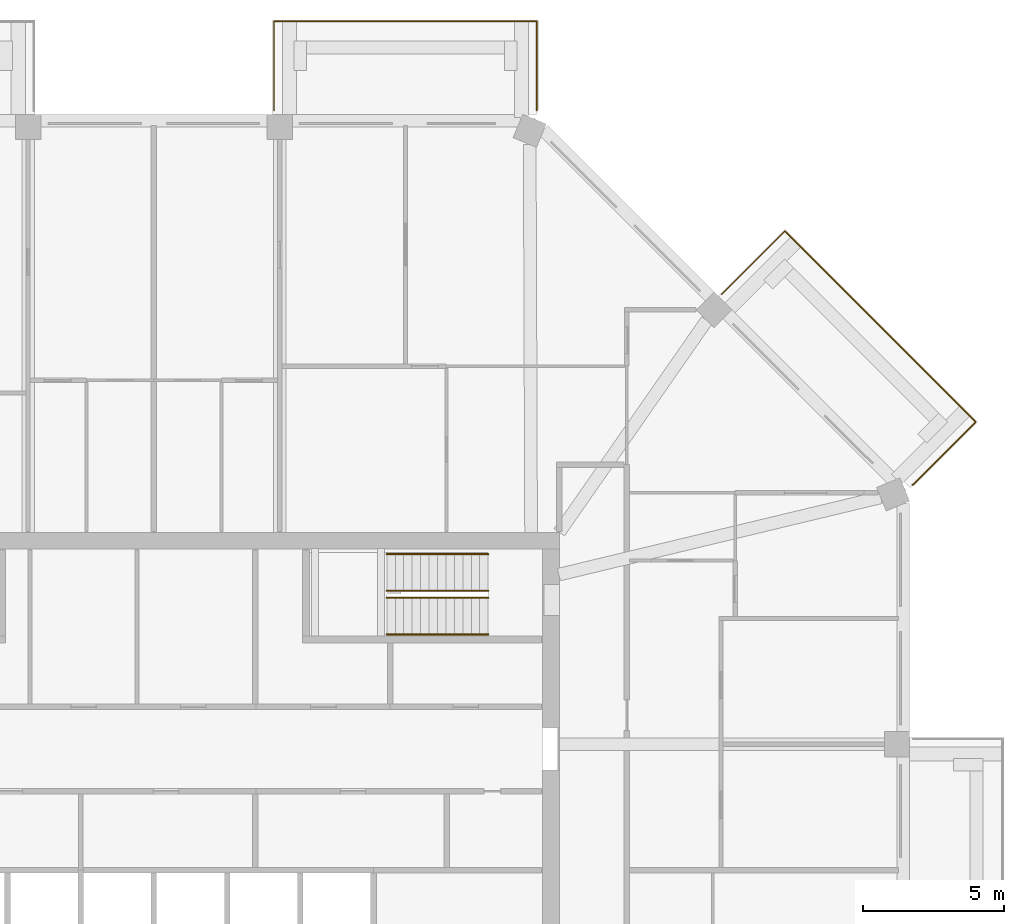
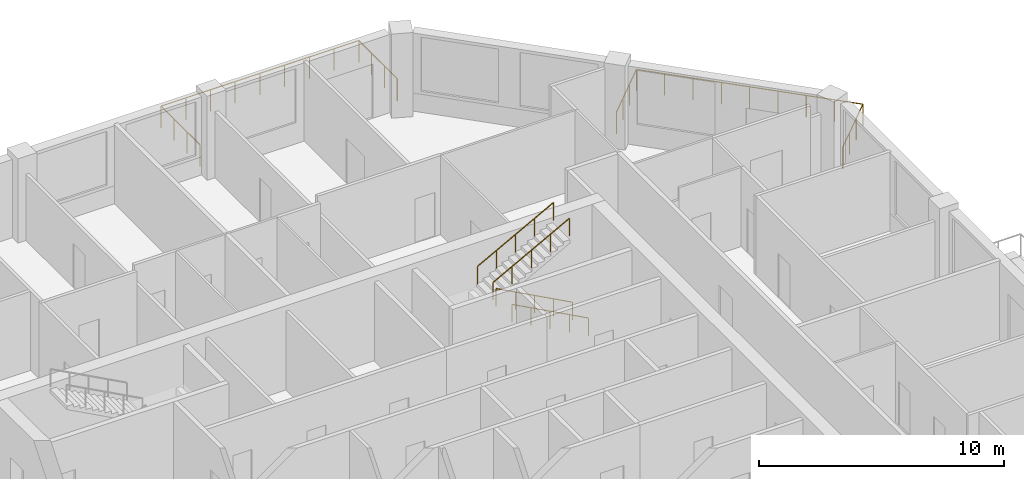
# One storey, part 12 of 12: 6 railings.
"""IFC4 building model written with IfcOpenShell, lengths in metres."""

import ifcopenshell
import ifcopenshell.guid

model = None  # the IFC model being written
_history = None  # IfcOwnerHistory: only IFC2X3 demands one
_inside = {}  # id of a spatial element -> (the spatial element, [elements in it])
_under = {}  # id of a project, library or spatial element -> (it, [spatial elements below it])
_declared = {}  # id of a project -> (the project, [libraries it declares])
_typed = {}  # id of a type object -> (the type object, [elements of that type])
_made_of = {}  # id of a material, layer set ... -> (it, [elements and type objects made of it])


def new_model(schema):
    """Start an empty IFC model of exactly this schema.

    Asked for "IFC4X3", IfcOpenShell would pick the latest addendum, in which some entities
    have other attributes; the version numbers below select the first issue.
    IFC2X3 requires an IfcOwnerHistory on every rooted entity: one is made here for all.
    """
    global model, _history
    if schema == "IFC4X3":
        model = ifcopenshell.file(schema_version=(4, 3, 0, 0))
    else:
        model = ifcopenshell.file(schema=schema)
    _inside.clear()
    _under.clear()
    _declared.clear()
    _typed.clear()
    _made_of.clear()
    _history = None
    if model.schema == "IFC2X3":
        org = make("IfcOrganization", Name="unknown")
        user = make(
            "IfcPersonAndOrganization",
            ThePerson=make("IfcPerson", FamilyName="unknown"),
            TheOrganization=org,
        )
        app = make(
            "IfcApplication",
            ApplicationDeveloper=org,
            Version="unknown",
            ApplicationFullName="unknown",
            ApplicationIdentifier="unknown",
        )
        _history = make(
            "IfcOwnerHistory",
            OwningUser=user,
            OwningApplication=app,
            ChangeAction="ADDED",
            CreationDate=0,
        )
    return model


def make(cls, **values):
    """One entity of the class cls with the attributes given. An attribute that is None is left unset."""
    return model.create_entity(
        cls, **{name: value for name, value in values.items() if value is not None}
    )


def rooted(cls, **values):
    """An entity with a GlobalId (a new one), such as an element, a storey or a relation."""
    return make(cls, GlobalId=ifcopenshell.guid.new(), OwnerHistory=_history, **values)


def si_unit(unit_type, name, prefix=None):
    """IfcSIUnit, for example si_unit("LENGTHUNIT", "METRE", prefix="MILLI")."""
    return make("IfcSIUnit", UnitType=unit_type, Prefix=prefix, Name=name)


def assignment(units):
    """IfcUnitAssignment: the units of a project."""
    return None if units is None else make("IfcUnitAssignment", Units=units)


def point(xyz):
    """IfcCartesianPoint."""
    return None if xyz is None else make("IfcCartesianPoint", Coordinates=xyz)


def direction(xyz):
    """IfcDirection."""
    return None if xyz is None else make("IfcDirection", DirectionRatios=xyz)


def frame(location, z_axis=None, x_axis=None):
    """IfcAxis2Placement3D, a coordinate frame: its origin and axes. An axis left out is left unset."""
    return make(
        "IfcAxis2Placement3D",
        Location=point(location),
        Axis=direction(z_axis),
        RefDirection=direction(x_axis),
    )


def frame_2d(location, x_axis=None):
    """IfcAxis2Placement2D, a coordinate frame in the plane: its origin and x axis."""
    return make(
        "IfcAxis2Placement2D", Location=point(location), RefDirection=direction(x_axis)
    )


def origin():
    """The frame at (0, 0, 0) with its axes left unset."""
    return frame((0.0, 0.0, 0.0))


def origin_2d():
    """The frame at (0, 0) in the plane with its x axis left unset."""
    return frame_2d((0.0, 0.0))


def place(relative_to, where):
    """IfcLocalPlacement: puts the frame where relative to a parent placement (None: the world)."""
    return make(
        "IfcLocalPlacement", PlacementRelTo=relative_to, RelativePlacement=where
    )


def context(
    kind, dimensions, precision=None, world=None, true_north=None, identifier=None
):
    """IfcGeometricRepresentationContext, for example the 3D "Model" context."""
    return make(
        "IfcGeometricRepresentationContext",
        ContextIdentifier=identifier,
        ContextType=kind,
        CoordinateSpaceDimension=dimensions,
        Precision=precision,
        WorldCoordinateSystem=world,
        TrueNorth=true_north,
    )


def subcontext(parent, identifier, kind, view, scale=None):
    """IfcGeometricRepresentationSubContext, for example "Body" below "Model"."""
    return make(
        "IfcGeometricRepresentationSubContext",
        ContextIdentifier=identifier,
        ContextType=kind,
        ParentContext=parent,
        TargetScale=scale,
        TargetView=view,
    )


def project(units=None, contexts=None):
    """IfcProject with its units and contexts."""
    return rooted(
        "IfcProject",
        Name="project",
        RepresentationContexts=contexts,
        UnitsInContext=assignment(units),
    )


def spatial(cls, under=None, at=None, **own):
    """A site, building, storey or space (cls), placed at a placement, below another one or the project."""
    s = rooted(cls, ObjectPlacement=at, **own)
    if under is not None:
        _under.setdefault(under.id(), (under, []))[1].append(s)
    return s


def profile(cls, at=None, kind="AREA", **sizes):
    """A parametric profile (cls). Its sizes go by their IFC names, for example OverallWidth=200.0."""
    return make(cls, ProfileType=kind, Position=at, **sizes)


def circle(**sizes):
    """IfcCircleProfileDef."""
    return profile("IfcCircleProfileDef", **sizes)


def extrude(swept, where, along, depth):
    """IfcExtrudedAreaSolid: the profile swept, set in the frame where, extruded along a direction by depth."""
    return make(
        "IfcExtrudedAreaSolid",
        SweptArea=swept,
        Position=where,
        ExtrudedDirection=direction(along),
        Depth=depth,
    )


def shape(context_of_items, identifier, shape_type, items):
    """IfcShapeRepresentation: the items that make up one representation, for example the "Body"."""
    return make(
        "IfcShapeRepresentation",
        ContextOfItems=context_of_items,
        RepresentationIdentifier=identifier,
        RepresentationType=shape_type,
        Items=items,
    )


def material(Name=None, Category=None):
    """IfcMaterial."""
    return make("IfcMaterial", Name=Name, Category=Category)


def constituent(of_material, Name=None, Category=None, fraction=None):
    """IfcMaterialConstituent: one of the materials an element consists of."""
    return make(
        "IfcMaterialConstituent",
        Name=Name,
        Material=of_material,
        Fraction=fraction,
        Category=Category,
    )


def constituent_set(constituents=None, Name=None):
    """IfcMaterialConstituentSet."""
    return make(
        "IfcMaterialConstituentSet", Name=Name, MaterialConstituents=constituents
    )


def made_of(thing, what):
    """Note that an element or type object is made of a material, layer set ...; save() writes the relation."""
    if what is not None:
        _made_of.setdefault(what.id(), (what, []))[1].append(thing)
    return thing


def type_object(cls, material=None, **own):
    """A type object (cls), such as IfcWallType, which elements share."""
    return made_of(rooted(cls, **own), material)


def element(
    cls,
    number,
    at=None,
    inside=None,
    cuts=None,
    type_object=None,
    material=None,
    context=None,
    identifier="Body",
    shape_type=None,
    held_by="IfcProductDefinitionShape",
    body=None,
    shapes=None,
    **own,
):
    """One element of the class cls, such as IfcWall. Its Tag is "e" and its number.

    at: its placement. inside: the storey or other place that contains it. cuts: it is an
    opening in that element (IfcRelVoidsElement). A single representation is given by context,
    identifier, shape_type and body (its items); several are given by shapes. held_by: the class
    of the entity that holds the representations. save() writes the other relations.
    """
    e = rooted(cls, Tag="e%d" % number, ObjectPlacement=at, **own)
    if body is not None:
        shapes = [shape(context, identifier, shape_type, body)]
    if shapes is not None:
        e.Representation = make(held_by, Representations=shapes)
    if inside is not None:
        _inside.setdefault(inside.id(), (inside, []))[1].append(e)
    if cuts is not None:
        rooted(
            "IfcRelVoidsElement", RelatingBuildingElement=cuts, RelatedOpeningElement=e
        )
    if type_object is not None:
        _typed.setdefault(type_object.id(), (type_object, []))[1].append(e)
    return made_of(e, material)


def aggregate(whole, parts):
    """IfcRelAggregates: a whole, such as a stair, and the parts it consists of."""
    return rooted("IfcRelAggregates", RelatingObject=whole, RelatedObjects=parts)


def save(model, path):
    """Write the relations noted so far, then the file.

    IfcRelAggregates (storeys below a building ...), IfcRelContainedInSpatialStructure (elements
    in a storey), IfcRelDefinesByType, IfcRelAssociatesMaterial and IfcRelDeclares: one each for
    every whole, place, type object, material and project.
    """
    for whole, parts in _under.values():
        aggregate(whole, parts)
    for where, things in _inside.values():
        rooted(
            "IfcRelContainedInSpatialStructure",
            RelatedElements=things,
            RelatingStructure=where,
        )
    for kind, things in _typed.values():
        rooted("IfcRelDefinesByType", RelatedObjects=things, RelatingType=kind)
    for what, things in _made_of.values():
        rooted("IfcRelAssociatesMaterial", RelatedObjects=things, RelatingMaterial=what)
    for by, libraries in _declared.values():
        rooted("IfcRelDeclares", RelatingContext=by, RelatedDefinitions=libraries)
    model.write(path)


model = new_model("IFC4")

# Units and contexts
model_context = context("Model", 3, precision=1e-05, world=origin(), true_north=direction((0.0, 1.0)))
body_context = subcontext(model_context, "Body", "Model", "MODEL_VIEW")
ifc_project = project(units=[si_unit("LENGTHUNIT", "METRE"), si_unit("AREAUNIT", "SQUARE_METRE"), si_unit("VOLUMEUNIT", "CUBIC_METRE"), si_unit("PLANEANGLEUNIT", "RADIAN"), si_unit("MASSUNIT", "GRAM", prefix="KILO")], contexts=[model_context])

# Site, building, storey
site_placement = place(None, origin())
site = spatial("IfcSite", under=ifc_project, at=site_placement, CompositionType="ELEMENT")
building_placement = place(site_placement, origin())
building = spatial("IfcBuilding", under=site, at=building_placement, Name="Msitu Wima Residences", CompositionType="ELEMENT")
storey_placement = place(building_placement, frame((0.0, 0.0, 247.5)))
storey = spatial("IfcBuildingStorey", under=building, at=storey_placement, Name="L57", CompositionType="ELEMENT", Elevation=247.5)

# Railings
ifc_material_1 = material(Name="Steel S355", Category="steel")
ifc_constituent_1 = constituent(ifc_material_1, Name="Steel S355")
ifc_material_2 = material(Name="Weathering patina")
ifc_constituent_2 = constituent(ifc_material_2, Name="Weathering patina")
ifc_constituent_set_1 = constituent_set(constituents=[ifc_constituent_1, ifc_constituent_2], Name="Steel S355")
railing_type_1 = type_object("IfcRailingType", Name="Balcony guard GR1100", PredefinedType="GUARDRAIL", material=ifc_constituent_set_1)
railing_1_placement = place(storey_placement, frame((20.171630859375, 20.45458984375, 0.0)))
element("IfcRailing", 1, at=railing_1_placement, inside=storey, type_object=railing_type_1, Name="Balcony guard NE0 L57", PredefinedType="GUARDRAIL", context=body_context, shape_type="SweptSolid", body=[
    extrude(circle(Radius=0.02392578125, at=origin_2d()), frame((0.0, 0.0, 1.076171875), z_axis=(0.707106781187, 0.707106781187, 0.0), x_axis=(-0.707106781187, 0.707106781187, 0.0)), (0.0, 0.0, 1.0), 3.169921875),
    extrude(circle(Radius=0.02392578125, at=origin_2d()), frame((2.241455078125, 2.241455078125, 1.076171875), z_axis=(0.707106781187, -0.707106781187, 0.0), x_axis=(0.707106781187, 0.707106781187, 0.0)), (0.0, 0.0, 1.0), 9.58837890625),
    extrude(circle(Radius=0.02392578125, at=origin_2d()), frame((9.021484375, -4.53857421875, 1.076171875), z_axis=(-0.707106781187, -0.707106781187, 0.0), x_axis=(0.707106781187, -0.707106781187, 0.0)), (0.0, 0.0, 1.0), 3.136474609375),
    extrude(circle(Radius=0.02392578125, at=origin_2d()), frame((6.8037109375, -6.75634765625, 1.076171875), z_axis=(-0.92426142649, -0.38176015442, 0.0), x_axis=(0.38176015442, -0.92426142649, 0.0)), (0.0, 0.0, 1.0), 0.036376953125),
    extrude(circle(Radius=0.02099609375, at=origin_2d()), origin(), (0.0, 0.0, 1.0), 1.052001953125),
    extrude(circle(Radius=0.02099609375, at=origin_2d()), frame((0.7470703125, 0.7470703125, 0.0)), (0.0, 0.0, 1.0), 1.052001953125),
    extrude(circle(Radius=0.02099609375, at=origin_2d()), frame((1.494384765625, 1.494384765625, 0.0)), (0.0, 0.0, 1.0), 1.052001953125),
    extrude(circle(Radius=0.02099609375, at=origin_2d()), frame((2.241455078125, 2.241455078125, 0.0)), (0.0, 0.0, 1.0), 1.052001953125),
    extrude(circle(Radius=0.02099609375, at=origin_2d()), frame((3.0888671875, 1.39404296875, 0.0)), (0.0, 0.0, 1.0), 1.052001953125),
    extrude(circle(Radius=0.02099609375, at=origin_2d()), frame((3.9365234375, 0.54638671875, 0.0)), (0.0, 0.0, 1.0), 1.052001953125),
    extrude(circle(Radius=0.02099609375, at=origin_2d()), frame((4.783935546875, -0.301025390625, 0.0)), (0.0, 0.0, 1.0), 1.052001953125),
    extrude(circle(Radius=0.02099609375, at=origin_2d()), frame((5.63134765625, -1.1484375, 0.0)), (0.0, 0.0, 1.0), 1.052001953125),
    extrude(circle(Radius=0.02099609375, at=origin_2d()), frame((6.47900390625, -1.99609375, 0.0)), (0.0, 0.0, 1.0), 1.052001953125),
    extrude(circle(Radius=0.02099609375, at=origin_2d()), frame((7.326416015625, -2.843505859375, 0.0)), (0.0, 0.0, 1.0), 1.052001953125),
    extrude(circle(Radius=0.02099609375, at=origin_2d()), frame((8.174072265625, -3.691162109375, 0.0)), (0.0, 0.0, 1.0), 1.052001953125),
    extrude(circle(Radius=0.02099609375, at=origin_2d()), frame((9.021484375, -4.53857421875, 0.0)), (0.0, 0.0, 1.0), 1.052001953125),
    extrude(circle(Radius=0.02099609375, at=origin_2d()), frame((8.2822265625, -5.27783203125, 0.0)), (0.0, 0.0, 1.0), 1.052001953125),
    extrude(circle(Radius=0.02099609375, at=origin_2d()), frame((7.54296875, -6.01708984375, 0.0)), (0.0, 0.0, 1.0), 1.052001953125),
    extrude(circle(Radius=0.02099609375, at=origin_2d()), frame((6.8037109375, -6.75634765625, 0.0)), (0.0, 0.0, 1.0), 1.052001953125),
    extrude(circle(Radius=0.02099609375, at=origin_2d()), frame((6.77001953125, -6.770263671875, 0.0)), (0.0, 0.0, 1.0), 1.052001953125),
])
railing_2_placement = place(storey_placement, frame((4.2685546875, 26.97998046875, 0.0)))
element("IfcRailing", 2, at=railing_2_placement, inside=storey, type_object=railing_type_1, Name="Balcony guard N0 L57", PredefinedType="GUARDRAIL", context=body_context, shape_type="SweptSolid", body=[
    extrude(circle(Radius=0.02392578125, at=origin_2d()), frame((0.0, 0.0, 1.076171875), z_axis=(0.0, 1.0, 0.0), x_axis=(-1.0, 0.0, 0.0)), (0.0, 0.0, 1.0), 3.169921875),
    extrude(circle(Radius=0.02392578125, at=origin_2d()), frame((0.0, 3.169921875, 1.076171875), z_axis=(1.0, 0.0, 0.0), x_axis=(0.0, 1.0, 0.0)), (0.0, 0.0, 1.0), 9.33740234375),
    extrude(circle(Radius=0.02392578125, at=origin_2d()), frame((9.33740234375, 3.169921875, 1.076171875), z_axis=(0.0, -1.0, 0.0), x_axis=(1.0, 0.0, 0.0)), (0.0, 0.0, 1.0), 3.136474609375),
    extrude(circle(Radius=0.02392578125, at=origin_2d()), frame((9.33740234375, 0.033447265625, 1.076171875), z_axis=(-0.384136806859, -0.923276184907, 0.0), x_axis=(0.923276184907, -0.384136806859, 0.0)), (0.0, 0.0, 1.0), 0.0361328125),
    extrude(circle(Radius=0.02099609375, at=origin_2d()), origin(), (0.0, 0.0, 1.0), 1.052001953125),
    extrude(circle(Radius=0.02099609375, at=origin_2d()), frame((0.0, 1.056640625, 0.0)), (0.0, 0.0, 1.0), 1.052001953125),
    extrude(circle(Radius=0.02099609375, at=origin_2d()), frame((0.0, 2.11328125, 0.0)), (0.0, 0.0, 1.0), 1.052001953125),
    extrude(circle(Radius=0.02099609375, at=origin_2d()), frame((0.0, 3.169921875, 0.0)), (0.0, 0.0, 1.0), 1.052001953125),
    extrude(circle(Radius=0.02099609375, at=origin_2d()), frame((1.167236328125, 3.169921875, 0.0)), (0.0, 0.0, 1.0), 1.052001953125),
    extrude(circle(Radius=0.02099609375, at=origin_2d()), frame((2.33447265625, 3.169921875, 0.0)), (0.0, 0.0, 1.0), 1.052001953125),
    extrude(circle(Radius=0.02099609375, at=origin_2d()), frame((3.50146484375, 3.169921875, 0.0)), (0.0, 0.0, 1.0), 1.052001953125),
    extrude(circle(Radius=0.02099609375, at=origin_2d()), frame((4.668701171875, 3.169921875, 0.0)), (0.0, 0.0, 1.0), 1.052001953125),
    extrude(circle(Radius=0.02099609375, at=origin_2d()), frame((5.8359375, 3.169921875, 0.0)), (0.0, 0.0, 1.0), 1.052001953125),
    extrude(circle(Radius=0.02099609375, at=origin_2d()), frame((7.0029296875, 3.169921875, 0.0)), (0.0, 0.0, 1.0), 1.052001953125),
    extrude(circle(Radius=0.02099609375, at=origin_2d()), frame((8.170166015625, 3.169921875, 0.0)), (0.0, 0.0, 1.0), 1.052001953125),
    extrude(circle(Radius=0.02099609375, at=origin_2d()), frame((9.33740234375, 3.169921875, 0.0)), (0.0, 0.0, 1.0), 1.052001953125),
    extrude(circle(Radius=0.02099609375, at=origin_2d()), frame((9.33740234375, 2.12451171875, 0.0)), (0.0, 0.0, 1.0), 1.052001953125),
    extrude(circle(Radius=0.02099609375, at=origin_2d()), frame((9.33740234375, 1.078857421875, 0.0)), (0.0, 0.0, 1.0), 1.052001953125),
    extrude(circle(Radius=0.02099609375, at=origin_2d()), frame((9.33740234375, 0.033447265625, 0.0)), (0.0, 0.0, 1.0), 1.052001953125),
    extrude(circle(Radius=0.02099609375, at=origin_2d()), frame((9.323486328125, 0.0, 0.0)), (0.0, 0.0, 1.0), 1.052001953125),
])
ifc_constituent_3 = constituent(ifc_material_1, Name="Steel S355")
ifc_material_3 = material(Name="Black powder coating")
ifc_constituent_4 = constituent(ifc_material_3, Name="Black powder coating")
ifc_constituent_set_2 = constituent_set(constituents=[ifc_constituent_3, ifc_constituent_4], Name="Steel S355")
railing_type_2 = type_object("IfcRailingType", Name="Stair handrail HR1", PredefinedType="HANDRAIL", material=ifc_constituent_set_2)
for number, where, name in (
    (3, (11.875, 8.375, 0.16162109375), "Stair 3 handrail"),
    (4, (11.875, 9.675048828125, 0.16162109375), "Stair 3 handrail"),
):
    element("IfcRailing", number, at=place(storey_placement, frame(where)), inside=storey, type_object=railing_type_2, Name=name, PredefinedType="HANDRAIL", context=body_context, shape_type="SweptSolid", body=[
        extrude(circle(Radius=0.02392578125, at=origin_2d()), frame((0.0, 0.0, 0.8759765625), z_axis=(-0.880474934443, 0.0, 0.474092701714), x_axis=(0.0, -1.0, 0.0)), (0.0, 0.0, 1.0), 4.0888671875),
        extrude(circle(Radius=0.02099609375, at=origin_2d()), origin(), (0.0, 0.0, 1.0), 0.851806640625),
        extrude(circle(Radius=0.02099609375, at=origin_2d()), frame((-0.89990234375, 0.0, 0.484619140625)), (0.0, 0.0, 1.0), 0.851806640625),
        extrude(circle(Radius=0.02099609375, at=origin_2d()), frame((-1.800048828125, 0.0, 0.96923828125)), (0.0, 0.0, 1.0), 0.851806640625),
        extrude(circle(Radius=0.02099609375, at=origin_2d()), frame((-2.7001953125, 0.0, 1.453857421875)), (0.0, 0.0, 1.0), 0.851806640625),
        extrude(circle(Radius=0.02099609375, at=origin_2d()), frame((-3.60009765625, 0.0, 1.9384765625)), (0.0, 0.0, 1.0), 0.851806640625),
    ])
for number, where, name in (
    (5, (8.27490234375, 9.925048828125, 2.261474609375), "Stair 3 handrail"),
    (6, (8.27490234375, 11.22509765625, 2.261474609375), "Stair 3 handrail"),
):
    element("IfcRailing", number, at=place(storey_placement, frame(where)), inside=storey, type_object=railing_type_2, Name=name, PredefinedType="HANDRAIL", context=body_context, shape_type="SweptSolid", body=[
        extrude(circle(Radius=0.02392578125, at=origin_2d()), frame((0.0, 0.0, 0.8759765625), z_axis=(0.880474934443, 0.0, 0.474092701714), x_axis=(0.0, 1.0, 0.0)), (0.0, 0.0, 1.0), 4.0888671875),
        extrude(circle(Radius=0.02099609375, at=origin_2d()), origin(), (0.0, 0.0, 1.0), 0.851806640625),
        extrude(circle(Radius=0.02099609375, at=origin_2d()), frame((0.89990234375, 0.0, 0.484619140625)), (0.0, 0.0, 1.0), 0.851806640625),
        extrude(circle(Radius=0.02099609375, at=origin_2d()), frame((1.800048828125, 0.0, 0.96923828125)), (0.0, 0.0, 1.0), 0.851806640625),
        extrude(circle(Radius=0.02099609375, at=origin_2d()), frame((2.7001953125, 0.0, 1.453857421875)), (0.0, 0.0, 1.0), 0.851806640625),
        extrude(circle(Radius=0.02099609375, at=origin_2d()), frame((3.60009765625, 0.0, 1.9384765625)), (0.0, 0.0, 1.0), 0.851806640625),
    ])

save(model, "model.ifc")
